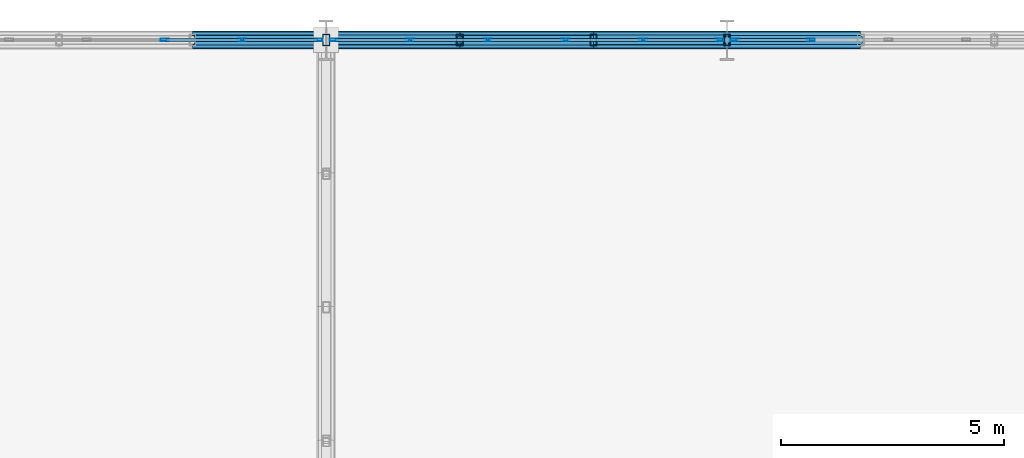
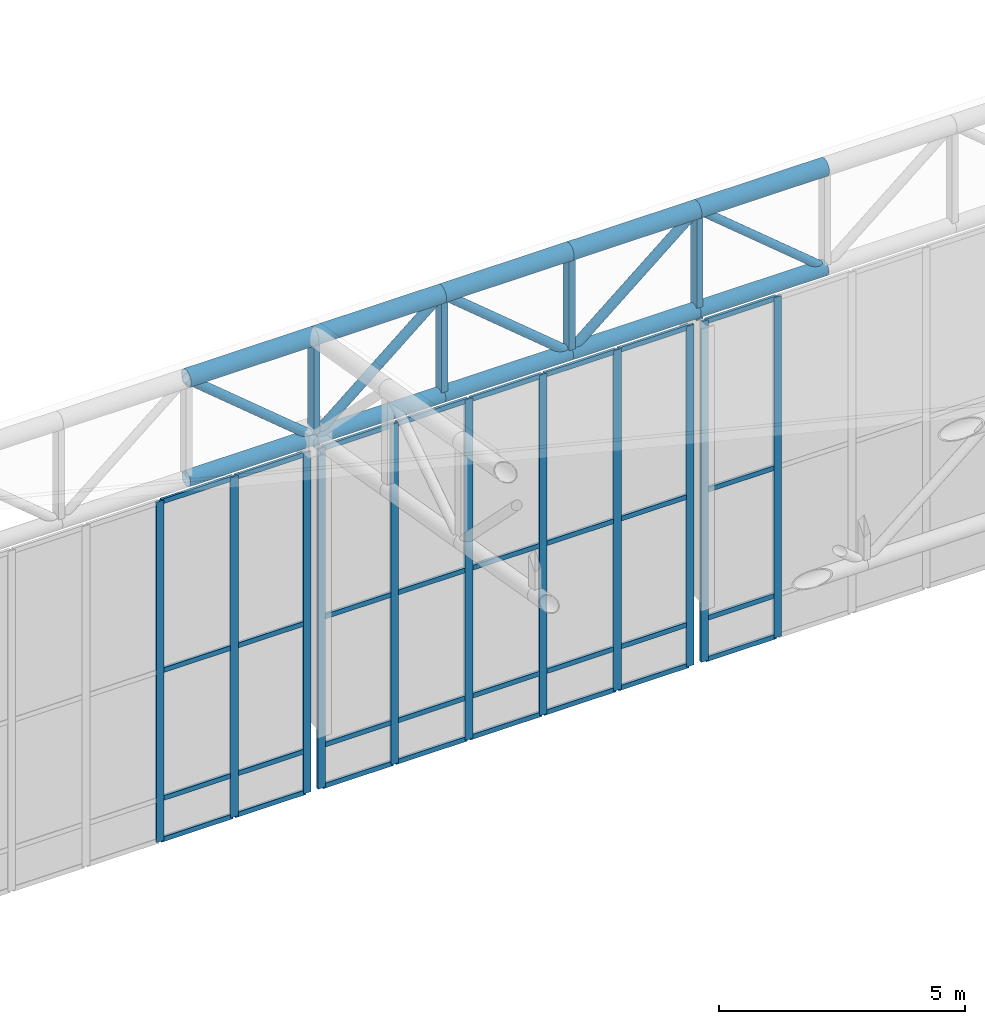
# One storey, part 109 of 239: 62 members, 3 elements without a shape of their own.
"""IFC4 building model written with IfcOpenShell, lengths in metres."""

import ifcopenshell
import ifcopenshell.guid

model = None  # the IFC model being written
_history = None  # IfcOwnerHistory: only IFC2X3 demands one
_inside = {}  # id of a spatial element -> (the spatial element, [elements in it])
_under = {}  # id of a project, library or spatial element -> (it, [spatial elements below it])
_declared = {}  # id of a project -> (the project, [libraries it declares])
_typed = {}  # id of a type object -> (the type object, [elements of that type])
_made_of = {}  # id of a material, layer set ... -> (it, [elements and type objects made of it])


def new_model(schema):
    """Start an empty IFC model of exactly this schema.

    Asked for "IFC4X3", IfcOpenShell would pick the latest addendum, in which some entities
    have other attributes; the version numbers below select the first issue.
    IFC2X3 requires an IfcOwnerHistory on every rooted entity: one is made here for all.
    """
    global model, _history
    if schema == "IFC4X3":
        model = ifcopenshell.file(schema_version=(4, 3, 0, 0))
    else:
        model = ifcopenshell.file(schema=schema)
    _inside.clear()
    _under.clear()
    _declared.clear()
    _typed.clear()
    _made_of.clear()
    _history = None
    if model.schema == "IFC2X3":
        org = make("IfcOrganization", Name="unknown")
        user = make(
            "IfcPersonAndOrganization",
            ThePerson=make("IfcPerson", FamilyName="unknown"),
            TheOrganization=org,
        )
        app = make(
            "IfcApplication",
            ApplicationDeveloper=org,
            Version="unknown",
            ApplicationFullName="unknown",
            ApplicationIdentifier="unknown",
        )
        _history = make(
            "IfcOwnerHistory",
            OwningUser=user,
            OwningApplication=app,
            ChangeAction="ADDED",
            CreationDate=0,
        )
    return model


def make(cls, **values):
    """One entity of the class cls with the attributes given. An attribute that is None is left unset."""
    return model.create_entity(
        cls, **{name: value for name, value in values.items() if value is not None}
    )


def rooted(cls, **values):
    """An entity with a GlobalId (a new one), such as an element, a storey or a relation."""
    return make(cls, GlobalId=ifcopenshell.guid.new(), OwnerHistory=_history, **values)


def si_unit(unit_type, name, prefix=None):
    """IfcSIUnit, for example si_unit("LENGTHUNIT", "METRE", prefix="MILLI")."""
    return make("IfcSIUnit", UnitType=unit_type, Prefix=prefix, Name=name)


def assignment(units):
    """IfcUnitAssignment: the units of a project."""
    return None if units is None else make("IfcUnitAssignment", Units=units)


def point(xyz):
    """IfcCartesianPoint."""
    return None if xyz is None else make("IfcCartesianPoint", Coordinates=xyz)


def direction(xyz):
    """IfcDirection."""
    return None if xyz is None else make("IfcDirection", DirectionRatios=xyz)


def frame(location, z_axis=None, x_axis=None):
    """IfcAxis2Placement3D, a coordinate frame: its origin and axes. An axis left out is left unset."""
    return make(
        "IfcAxis2Placement3D",
        Location=point(location),
        Axis=direction(z_axis),
        RefDirection=direction(x_axis),
    )


def frame_2d(location, x_axis=None):
    """IfcAxis2Placement2D, a coordinate frame in the plane: its origin and x axis."""
    return make(
        "IfcAxis2Placement2D", Location=point(location), RefDirection=direction(x_axis)
    )


def origin():
    """The frame at (0, 0, 0) with its axes left unset."""
    return frame((0.0, 0.0, 0.0))


def origin_2d():
    """The frame at (0, 0) in the plane with its x axis left unset."""
    return frame_2d((0.0, 0.0))


def place(relative_to, where):
    """IfcLocalPlacement: puts the frame where relative to a parent placement (None: the world)."""
    return make(
        "IfcLocalPlacement", PlacementRelTo=relative_to, RelativePlacement=where
    )


def context(
    kind, dimensions, precision=None, world=None, true_north=None, identifier=None
):
    """IfcGeometricRepresentationContext, for example the 3D "Model" context."""
    return make(
        "IfcGeometricRepresentationContext",
        ContextIdentifier=identifier,
        ContextType=kind,
        CoordinateSpaceDimension=dimensions,
        Precision=precision,
        WorldCoordinateSystem=world,
        TrueNorth=true_north,
    )


def subcontext(parent, identifier, kind, view, scale=None):
    """IfcGeometricRepresentationSubContext, for example "Body" below "Model"."""
    return make(
        "IfcGeometricRepresentationSubContext",
        ContextIdentifier=identifier,
        ContextType=kind,
        ParentContext=parent,
        TargetScale=scale,
        TargetView=view,
    )


def project(units=None, contexts=None):
    """IfcProject with its units and contexts."""
    return rooted(
        "IfcProject",
        Name="project",
        RepresentationContexts=contexts,
        UnitsInContext=assignment(units),
    )


def spatial(cls, under=None, at=None, **own):
    """A site, building, storey or space (cls), placed at a placement, below another one or the project."""
    s = rooted(cls, ObjectPlacement=at, **own)
    if under is not None:
        _under.setdefault(under.id(), (under, []))[1].append(s)
    return s


def profile(cls, at=None, kind="AREA", **sizes):
    """A parametric profile (cls). Its sizes go by their IFC names, for example OverallWidth=200.0."""
    return make(cls, ProfileType=kind, Position=at, **sizes)


def hollow_rectangle(**sizes):
    """IfcRectangleHollowProfileDef."""
    return profile("IfcRectangleHollowProfileDef", **sizes)


def hollow_circle(**sizes):
    """IfcCircleHollowProfileDef."""
    return profile("IfcCircleHollowProfileDef", **sizes)


def extrude(swept, where, along, depth):
    """IfcExtrudedAreaSolid: the profile swept, set in the frame where, extruded along a direction by depth."""
    return make(
        "IfcExtrudedAreaSolid",
        SweptArea=swept,
        Position=where,
        ExtrudedDirection=direction(along),
        Depth=depth,
    )


def shape(context_of_items, identifier, shape_type, items):
    """IfcShapeRepresentation: the items that make up one representation, for example the "Body"."""
    return make(
        "IfcShapeRepresentation",
        ContextOfItems=context_of_items,
        RepresentationIdentifier=identifier,
        RepresentationType=shape_type,
        Items=items,
    )


def material(Name=None, Category=None):
    """IfcMaterial."""
    return make("IfcMaterial", Name=Name, Category=Category)


def material_profile(
    of_material, cross_section, Name=None, Category=None, Priority=None
):
    """IfcMaterialProfile: a cross section and its material."""
    return make(
        "IfcMaterialProfile",
        Name=Name,
        Material=of_material,
        Profile=cross_section,
        Priority=Priority,
        Category=Category,
    )


def profile_set(profiles, Name=None, composite=None):
    """IfcMaterialProfileSet."""
    return make(
        "IfcMaterialProfileSet",
        Name=Name,
        MaterialProfiles=profiles,
        CompositeProfile=composite,
    )


def made_of(thing, what):
    """Note that an element or type object is made of a material, layer set ...; save() writes the relation."""
    if what is not None:
        _made_of.setdefault(what.id(), (what, []))[1].append(thing)
    return thing


def type_object(cls, material=None, **own):
    """A type object (cls), such as IfcWallType, which elements share."""
    return made_of(rooted(cls, **own), material)


def element(
    cls,
    number,
    at=None,
    inside=None,
    cuts=None,
    type_object=None,
    material=None,
    context=None,
    identifier="Body",
    shape_type=None,
    held_by="IfcProductDefinitionShape",
    body=None,
    shapes=None,
    **own,
):
    """One element of the class cls, such as IfcWall. Its Tag is "e" and its number.

    at: its placement. inside: the storey or other place that contains it. cuts: it is an
    opening in that element (IfcRelVoidsElement). A single representation is given by context,
    identifier, shape_type and body (its items); several are given by shapes. held_by: the class
    of the entity that holds the representations. save() writes the other relations.
    """
    e = rooted(cls, Tag="e%d" % number, ObjectPlacement=at, **own)
    if body is not None:
        shapes = [shape(context, identifier, shape_type, body)]
    if shapes is not None:
        e.Representation = make(held_by, Representations=shapes)
    if inside is not None:
        _inside.setdefault(inside.id(), (inside, []))[1].append(e)
    if cuts is not None:
        rooted(
            "IfcRelVoidsElement", RelatingBuildingElement=cuts, RelatedOpeningElement=e
        )
    if type_object is not None:
        _typed.setdefault(type_object.id(), (type_object, []))[1].append(e)
    return made_of(e, material)


def aggregate(whole, parts):
    """IfcRelAggregates: a whole, such as a stair, and the parts it consists of."""
    return rooted("IfcRelAggregates", RelatingObject=whole, RelatedObjects=parts)


def save(model, path):
    """Write the relations noted so far, then the file.

    IfcRelAggregates (storeys below a building ...), IfcRelContainedInSpatialStructure (elements
    in a storey), IfcRelDefinesByType, IfcRelAssociatesMaterial and IfcRelDeclares: one each for
    every whole, place, type object, material and project.
    """
    for whole, parts in _under.values():
        aggregate(whole, parts)
    for where, things in _inside.values():
        rooted(
            "IfcRelContainedInSpatialStructure",
            RelatedElements=things,
            RelatingStructure=where,
        )
    for kind, things in _typed.values():
        rooted("IfcRelDefinesByType", RelatedObjects=things, RelatingType=kind)
    for what, things in _made_of.values():
        rooted("IfcRelAssociatesMaterial", RelatedObjects=things, RelatingMaterial=what)
    for by, libraries in _declared.values():
        rooted("IfcRelDeclares", RelatingContext=by, RelatedDefinitions=libraries)
    model.write(path)


model = new_model("IFC4")

# Units and contexts
model_context = context("Model", 3, precision=1e-05, world=origin(), true_north=direction((0.0, 1.0)))
body_context = subcontext(model_context, "Body", "Model", "MODEL_VIEW")
ifc_project = project(units=[si_unit("LENGTHUNIT", "METRE"), si_unit("AREAUNIT", "SQUARE_METRE"), si_unit("VOLUMEUNIT", "CUBIC_METRE"), si_unit("PLANEANGLEUNIT", "RADIAN"), si_unit("MASSUNIT", "GRAM", prefix="KILO")], contexts=[model_context])

# Site, building, storey
site_placement = place(None, origin())
site = spatial("IfcSite", under=ifc_project, at=site_placement, CompositionType="ELEMENT")
building_placement = place(site_placement, origin())
building = spatial("IfcBuilding", under=site, at=building_placement, Name="Kaldris Quays Convention Centre", CompositionType="ELEMENT")
storey_placement = place(building_placement, frame((0.0, 0.0, 11.39990234375)))
storey = spatial("IfcBuildingStorey", under=building, at=storey_placement, Name="L02", CompositionType="ELEMENT", Elevation=11.39990234375)

# Curtain wall, members
ifc_material_1 = material(Name="Anodized aluminium AW-6060 and triple glazing", Category="aluminium")
curtain_wall_type = type_object("IfcCurtainWallType", Name="UNITISED CURTAIN WALL CW03", PredefinedType="NOTDEFINED", material=ifc_material_1)
curtain_wall_1_placement = place(storey_placement, origin())
curtain_wall_1 = element("IfcCurtainWall", 1, at=curtain_wall_1_placement, inside=storey, type_object=curtain_wall_type, Name="L02 Unitised Curtain Wall CW03 234", PredefinedType="NOTDEFINED")
ifc_material_2 = material(Name="Anodized aluminium AW-6060", Category="aluminium")
ifc_material_profile_1 = material_profile(ifc_material_2, hollow_rectangle(XDim=0.06005859375, YDim=0.179931640625, WallThickness=0.0048828125, at=origin_2d()), Name="RHS 180x60x5")
ifc_profile_set_1 = profile_set([ifc_material_profile_1], Name="Anodized aluminium AW-6060")
member_type_1 = type_object("IfcMemberType", Name="CURTAIN MULLION CWM2", PredefinedType="MULLION", material=ifc_profile_set_1)
member_1_placement = place(storey_placement, frame((52.3720703125, 140.0, -1.60498046875), z_axis=(0.0, 0.0, 1.0), x_axis=(0.0, 1.0, 0.0)))
member_1 = element("IfcMember", 2, at=member_1_placement, type_object=member_type_1, Name="CW03 mullion 4", PredefinedType="MULLION", context=body_context, shape_type="SweptSolid", body=[
    extrude(hollow_rectangle(XDim=0.06005859375, YDim=0.179931640625, WallThickness=0.0048828125, at=origin_2d()), origin(), (0.0, 0.0, 1.0), 8.455078125),
])
member_2_placement = place(storey_placement, frame((54.115966796875, 140.0, -1.60498046875), z_axis=(0.0, 0.0, 1.0), x_axis=(0.0, 1.0, 0.0)))
member_2 = element("IfcMember", 3, at=member_2_placement, type_object=member_type_1, Name="CW03 mullion 5", PredefinedType="MULLION", context=body_context, shape_type="SweptSolid", body=[
    extrude(hollow_rectangle(XDim=0.06005859375, YDim=0.179931640625, WallThickness=0.0048828125, at=origin_2d()), origin(), (0.0, 0.0, 1.0), 8.455078125),
])
member_3_placement = place(storey_placement, frame((55.830078125, 140.0, -1.60498046875), z_axis=(0.0, 0.0, 1.0), x_axis=(0.0, 1.0, 0.0)))
member_3 = element("IfcMember", 4, at=member_3_placement, type_object=member_type_1, Name="CW03 mullion 6", PredefinedType="MULLION", context=body_context, shape_type="SweptSolid", body=[
    extrude(hollow_rectangle(XDim=0.06005859375, YDim=0.179931640625, WallThickness=0.0048828125, at=origin_2d()), origin(), (0.0, 0.0, 1.0), 8.455078125),
])

curtain_wall_2_placement = place(storey_placement, origin())
curtain_wall_2 = element("IfcCurtainWall", 5, at=curtain_wall_2_placement, inside=storey, type_object=curtain_wall_type, Name="L02 Unitised Curtain Wall CW03 236", PredefinedType="NOTDEFINED")
member_4_placement = place(storey_placement, frame((56.169921875, 140.0, -1.60498046875), z_axis=(0.0, 0.0, 1.0), x_axis=(0.0, 1.0, 0.0)))
member_4 = element("IfcMember", 6, at=member_4_placement, type_object=member_type_1, Name="CW03 mullion 1", PredefinedType="MULLION", context=body_context, shape_type="SweptSolid", body=[
    extrude(hollow_rectangle(XDim=0.06005859375, YDim=0.179931640625, WallThickness=0.0048828125, at=origin_2d()), origin(), (0.0, 0.0, 1.0), 8.455078125),
])
member_5_placement = place(storey_placement, frame((57.884033203125, 140.0, -1.60498046875), z_axis=(0.0, 0.0, 1.0), x_axis=(0.0, 1.0, 0.0)))
member_5 = element("IfcMember", 7, at=member_5_placement, type_object=member_type_1, Name="CW03 mullion 2", PredefinedType="MULLION", context=body_context, shape_type="SweptSolid", body=[
    extrude(hollow_rectangle(XDim=0.06005859375, YDim=0.179931640625, WallThickness=0.0048828125, at=origin_2d()), origin(), (0.0, 0.0, 1.0), 8.455078125),
])
member_6_placement = place(storey_placement, frame((59.6279296875, 140.0, -1.60498046875), z_axis=(0.0, 0.0, 1.0), x_axis=(0.0, 1.0, 0.0)))
member_6 = element("IfcMember", 8, at=member_6_placement, type_object=member_type_1, Name="CW03 mullion 3", PredefinedType="MULLION", context=body_context, shape_type="SweptSolid", body=[
    extrude(hollow_rectangle(XDim=0.06005859375, YDim=0.179931640625, WallThickness=0.0048828125, at=origin_2d()), origin(), (0.0, 0.0, 1.0), 8.455078125),
])
member_7_placement = place(storey_placement, frame((61.3720703125, 140.0, -1.60498046875), z_axis=(0.0, 0.0, 1.0), x_axis=(0.0, 1.0, 0.0)))
member_7 = element("IfcMember", 9, at=member_7_placement, type_object=member_type_1, Name="CW03 mullion 4", PredefinedType="MULLION", context=body_context, shape_type="SweptSolid", body=[
    extrude(hollow_rectangle(XDim=0.06005859375, YDim=0.179931640625, WallThickness=0.0048828125, at=origin_2d()), origin(), (0.0, 0.0, 1.0), 8.455078125),
])
member_8_placement = place(storey_placement, frame((63.115966796875, 140.0, -1.60498046875), z_axis=(0.0, 0.0, 1.0), x_axis=(0.0, 1.0, 0.0)))
member_8 = element("IfcMember", 10, at=member_8_placement, type_object=member_type_1, Name="CW03 mullion 5", PredefinedType="MULLION", context=body_context, shape_type="SweptSolid", body=[
    extrude(hollow_rectangle(XDim=0.06005859375, YDim=0.179931640625, WallThickness=0.0048828125, at=origin_2d()), origin(), (0.0, 0.0, 1.0), 8.455078125),
])
member_9_placement = place(storey_placement, frame((64.830078125, 140.0, -1.60498046875), z_axis=(0.0, 0.0, 1.0), x_axis=(0.0, 1.0, 0.0)))
member_9 = element("IfcMember", 11, at=member_9_placement, type_object=member_type_1, Name="CW03 mullion 6", PredefinedType="MULLION", context=body_context, shape_type="SweptSolid", body=[
    extrude(hollow_rectangle(XDim=0.06005859375, YDim=0.179931640625, WallThickness=0.0048828125, at=origin_2d()), origin(), (0.0, 0.0, 1.0), 8.455078125),
])

curtain_wall_3_placement = place(storey_placement, origin())
curtain_wall_3 = element("IfcCurtainWall", 12, at=curtain_wall_3_placement, inside=storey, type_object=curtain_wall_type, Name="L02 Unitised Curtain Wall CW03 238", PredefinedType="NOTDEFINED")
member_10_placement = place(storey_placement, frame((65.169921875, 140.0, -1.60498046875), z_axis=(0.0, 0.0, 1.0), x_axis=(0.0, 1.0, 0.0)))
member_10 = element("IfcMember", 13, at=member_10_placement, type_object=member_type_1, Name="CW03 mullion 1", PredefinedType="MULLION", context=body_context, shape_type="SweptSolid", body=[
    extrude(hollow_rectangle(XDim=0.06005859375, YDim=0.179931640625, WallThickness=0.0048828125, at=origin_2d()), origin(), (0.0, 0.0, 1.0), 8.455078125),
])
member_11_placement = place(storey_placement, frame((66.884033203125, 140.0, -1.60498046875), z_axis=(0.0, 0.0, 1.0), x_axis=(0.0, 1.0, 0.0)))
member_11 = element("IfcMember", 14, at=member_11_placement, type_object=member_type_1, Name="CW03 mullion 2", PredefinedType="MULLION", context=body_context, shape_type="SweptSolid", body=[
    extrude(hollow_rectangle(XDim=0.06005859375, YDim=0.179931640625, WallThickness=0.0048828125, at=origin_2d()), origin(), (0.0, 0.0, 1.0), 8.455078125),
])

# Member
ifc_material_profile_2 = material_profile(ifc_material_2, hollow_rectangle(XDim=0.06005859375, YDim=0.1201171875, WallThickness=0.00390625, at=origin_2d()), Name="RHS 120x60x4")
ifc_profile_set_2 = profile_set([ifc_material_profile_2], Name="Anodized aluminium AW-6060")
member_type_2 = type_object("IfcMemberType", Name="CURTAIN TRANSOM CWT1", PredefinedType="USERDEFINED", material=ifc_profile_set_2)
member_12_placement = place(storey_placement, frame((52.402099609375, 140.0, -1.574951171875), z_axis=(1.0, 0.0, 0.0), x_axis=(0.0, 1.0, 0.0)))
member_12 = element("IfcMember", 15, at=member_12_placement, type_object=member_type_2, Name="CW03 transom 4.1", ObjectType="TRANSOM", PredefinedType="USERDEFINED", context=body_context, shape_type="SweptSolid", body=[
    extrude(hollow_rectangle(XDim=0.06005859375, YDim=0.1201171875, WallThickness=0.00390625, at=origin_2d()), origin(), (0.0, 0.0, 1.0), 1.683837890625),
])

member_13_placement = place(storey_placement, frame((52.402099609375, 140.0, -0.554931640625), z_axis=(1.0, 0.0, 0.0), x_axis=(0.0, 1.0, 0.0)))
member_13 = element("IfcMember", 16, at=member_13_placement, type_object=member_type_2, Name="CW03 transom 4.2", ObjectType="TRANSOM", PredefinedType="USERDEFINED", context=body_context, shape_type="SweptSolid", body=[
    extrude(hollow_rectangle(XDim=0.06005859375, YDim=0.1201171875, WallThickness=0.00390625, at=origin_2d()), origin(), (0.0, 0.0, 1.0), 1.683837890625),
])

member_14_placement = place(storey_placement, frame((52.402099609375, 140.0, 2.623046875), z_axis=(1.0, 0.0, 0.0), x_axis=(0.0, 1.0, 0.0)))
member_14 = element("IfcMember", 17, at=member_14_placement, type_object=member_type_2, Name="CW03 transom 4.3", ObjectType="TRANSOM", PredefinedType="USERDEFINED", context=body_context, shape_type="SweptSolid", body=[
    extrude(hollow_rectangle(XDim=0.06005859375, YDim=0.1201171875, WallThickness=0.00390625, at=origin_2d()), origin(), (0.0, 0.0, 1.0), 1.683837890625),
])

member_15_placement = place(storey_placement, frame((52.402099609375, 140.0, 6.820068359375), z_axis=(1.0, 0.0, 0.0), x_axis=(0.0, 1.0, 0.0)))
member_15 = element("IfcMember", 18, at=member_15_placement, type_object=member_type_2, Name="CW03 transom 4.4", ObjectType="TRANSOM", PredefinedType="USERDEFINED", context=body_context, shape_type="SweptSolid", body=[
    extrude(hollow_rectangle(XDim=0.06005859375, YDim=0.1201171875, WallThickness=0.00390625, at=origin_2d()), origin(), (0.0, 0.0, 1.0), 1.683837890625),
])

member_16_placement = place(storey_placement, frame((54.14599609375, 140.0, -1.574951171875), z_axis=(1.0, 0.0, 0.0), x_axis=(0.0, 1.0, 0.0)))
member_16 = element("IfcMember", 19, at=member_16_placement, type_object=member_type_2, Name="CW03 transom 5.1", ObjectType="TRANSOM", PredefinedType="USERDEFINED", context=body_context, shape_type="SweptSolid", body=[
    extrude(hollow_rectangle(XDim=0.06005859375, YDim=0.1201171875, WallThickness=0.00390625, at=origin_2d()), origin(), (0.0, 0.0, 1.0), 1.654052734375),
])

member_17_placement = place(storey_placement, frame((54.14599609375, 140.0, -0.554931640625), z_axis=(1.0, 0.0, 0.0), x_axis=(0.0, 1.0, 0.0)))
member_17 = element("IfcMember", 20, at=member_17_placement, type_object=member_type_2, Name="CW03 transom 5.2", ObjectType="TRANSOM", PredefinedType="USERDEFINED", context=body_context, shape_type="SweptSolid", body=[
    extrude(hollow_rectangle(XDim=0.06005859375, YDim=0.1201171875, WallThickness=0.00390625, at=origin_2d()), origin(), (0.0, 0.0, 1.0), 1.654052734375),
])

member_18_placement = place(storey_placement, frame((54.14599609375, 140.0, 2.623046875), z_axis=(1.0, 0.0, 0.0), x_axis=(0.0, 1.0, 0.0)))
member_18 = element("IfcMember", 21, at=member_18_placement, type_object=member_type_2, Name="CW03 transom 5.3", ObjectType="TRANSOM", PredefinedType="USERDEFINED", context=body_context, shape_type="SweptSolid", body=[
    extrude(hollow_rectangle(XDim=0.06005859375, YDim=0.1201171875, WallThickness=0.00390625, at=origin_2d()), origin(), (0.0, 0.0, 1.0), 1.654052734375),
])

member_19_placement = place(storey_placement, frame((54.14599609375, 140.0, 6.820068359375), z_axis=(1.0, 0.0, 0.0), x_axis=(0.0, 1.0, 0.0)))
member_19 = element("IfcMember", 22, at=member_19_placement, type_object=member_type_2, Name="CW03 transom 5.4", ObjectType="TRANSOM", PredefinedType="USERDEFINED", context=body_context, shape_type="SweptSolid", body=[
    extrude(hollow_rectangle(XDim=0.06005859375, YDim=0.1201171875, WallThickness=0.00390625, at=origin_2d()), origin(), (0.0, 0.0, 1.0), 1.654052734375),
])

aggregate(curtain_wall_1, [member_1, member_2, member_3, member_12, member_13, member_14, member_15, member_16, member_17, member_18, member_19])

member_20_placement = place(storey_placement, frame((56.199951171875, 140.0, -1.574951171875), z_axis=(1.0, 0.0, 0.0), x_axis=(0.0, 1.0, 0.0)))
member_20 = element("IfcMember", 23, at=member_20_placement, type_object=member_type_2, Name="CW03 transom 1.1", ObjectType="TRANSOM", PredefinedType="USERDEFINED", context=body_context, shape_type="SweptSolid", body=[
    extrude(hollow_rectangle(XDim=0.06005859375, YDim=0.1201171875, WallThickness=0.00390625, at=origin_2d()), origin(), (0.0, 0.0, 1.0), 1.654052734375),
])

member_21_placement = place(storey_placement, frame((56.199951171875, 140.0, -0.554931640625), z_axis=(1.0, 0.0, 0.0), x_axis=(0.0, 1.0, 0.0)))
member_21 = element("IfcMember", 24, at=member_21_placement, type_object=member_type_2, Name="CW03 transom 1.2", ObjectType="TRANSOM", PredefinedType="USERDEFINED", context=body_context, shape_type="SweptSolid", body=[
    extrude(hollow_rectangle(XDim=0.06005859375, YDim=0.1201171875, WallThickness=0.00390625, at=origin_2d()), origin(), (0.0, 0.0, 1.0), 1.654052734375),
])

member_22_placement = place(storey_placement, frame((56.199951171875, 140.0, 2.623046875), z_axis=(1.0, 0.0, 0.0), x_axis=(0.0, 1.0, 0.0)))
member_22 = element("IfcMember", 25, at=member_22_placement, type_object=member_type_2, Name="CW03 transom 1.3", ObjectType="TRANSOM", PredefinedType="USERDEFINED", context=body_context, shape_type="SweptSolid", body=[
    extrude(hollow_rectangle(XDim=0.06005859375, YDim=0.1201171875, WallThickness=0.00390625, at=origin_2d()), origin(), (0.0, 0.0, 1.0), 1.654052734375),
])

member_23_placement = place(storey_placement, frame((56.199951171875, 140.0, 6.820068359375), z_axis=(1.0, 0.0, 0.0), x_axis=(0.0, 1.0, 0.0)))
member_23 = element("IfcMember", 26, at=member_23_placement, type_object=member_type_2, Name="CW03 transom 1.4", ObjectType="TRANSOM", PredefinedType="USERDEFINED", context=body_context, shape_type="SweptSolid", body=[
    extrude(hollow_rectangle(XDim=0.06005859375, YDim=0.1201171875, WallThickness=0.00390625, at=origin_2d()), origin(), (0.0, 0.0, 1.0), 1.654052734375),
])

member_24_placement = place(storey_placement, frame((57.9140625, 140.0, -1.574951171875), z_axis=(1.0, 0.0, 0.0), x_axis=(0.0, 1.0, 0.0)))
member_24 = element("IfcMember", 27, at=member_24_placement, type_object=member_type_2, Name="CW03 transom 2.1", ObjectType="TRANSOM", PredefinedType="USERDEFINED", context=body_context, shape_type="SweptSolid", body=[
    extrude(hollow_rectangle(XDim=0.06005859375, YDim=0.1201171875, WallThickness=0.00390625, at=origin_2d()), origin(), (0.0, 0.0, 1.0), 1.683837890625),
])

member_25_placement = place(storey_placement, frame((57.9140625, 140.0, -0.554931640625), z_axis=(1.0, 0.0, 0.0), x_axis=(0.0, 1.0, 0.0)))
member_25 = element("IfcMember", 28, at=member_25_placement, type_object=member_type_2, Name="CW03 transom 2.2", ObjectType="TRANSOM", PredefinedType="USERDEFINED", context=body_context, shape_type="SweptSolid", body=[
    extrude(hollow_rectangle(XDim=0.06005859375, YDim=0.1201171875, WallThickness=0.00390625, at=origin_2d()), origin(), (0.0, 0.0, 1.0), 1.683837890625),
])

member_26_placement = place(storey_placement, frame((57.9140625, 140.0, 2.623046875), z_axis=(1.0, 0.0, 0.0), x_axis=(0.0, 1.0, 0.0)))
member_26 = element("IfcMember", 29, at=member_26_placement, type_object=member_type_2, Name="CW03 transom 2.3", ObjectType="TRANSOM", PredefinedType="USERDEFINED", context=body_context, shape_type="SweptSolid", body=[
    extrude(hollow_rectangle(XDim=0.06005859375, YDim=0.1201171875, WallThickness=0.00390625, at=origin_2d()), origin(), (0.0, 0.0, 1.0), 1.683837890625),
])

member_27_placement = place(storey_placement, frame((57.9140625, 140.0, 6.820068359375), z_axis=(1.0, 0.0, 0.0), x_axis=(0.0, 1.0, 0.0)))
member_27 = element("IfcMember", 30, at=member_27_placement, type_object=member_type_2, Name="CW03 transom 2.4", ObjectType="TRANSOM", PredefinedType="USERDEFINED", context=body_context, shape_type="SweptSolid", body=[
    extrude(hollow_rectangle(XDim=0.06005859375, YDim=0.1201171875, WallThickness=0.00390625, at=origin_2d()), origin(), (0.0, 0.0, 1.0), 1.683837890625),
])

member_28_placement = place(storey_placement, frame((59.657958984375, 140.0, -1.574951171875), z_axis=(1.0, 0.0, 0.0), x_axis=(0.0, 1.0, 0.0)))
member_28 = element("IfcMember", 31, at=member_28_placement, type_object=member_type_2, Name="CW03 transom 3.1", ObjectType="TRANSOM", PredefinedType="USERDEFINED", context=body_context, shape_type="SweptSolid", body=[
    extrude(hollow_rectangle(XDim=0.06005859375, YDim=0.1201171875, WallThickness=0.00390625, at=origin_2d()), origin(), (0.0, 0.0, 1.0), 1.68408203125),
])

member_29_placement = place(storey_placement, frame((59.657958984375, 140.0, -0.554931640625), z_axis=(1.0, 0.0, 0.0), x_axis=(0.0, 1.0, 0.0)))
member_29 = element("IfcMember", 32, at=member_29_placement, type_object=member_type_2, Name="CW03 transom 3.2", ObjectType="TRANSOM", PredefinedType="USERDEFINED", context=body_context, shape_type="SweptSolid", body=[
    extrude(hollow_rectangle(XDim=0.06005859375, YDim=0.1201171875, WallThickness=0.00390625, at=origin_2d()), origin(), (0.0, 0.0, 1.0), 1.68408203125),
])

member_30_placement = place(storey_placement, frame((59.657958984375, 140.0, 2.623046875), z_axis=(1.0, 0.0, 0.0), x_axis=(0.0, 1.0, 0.0)))
member_30 = element("IfcMember", 33, at=member_30_placement, type_object=member_type_2, Name="CW03 transom 3.3", ObjectType="TRANSOM", PredefinedType="USERDEFINED", context=body_context, shape_type="SweptSolid", body=[
    extrude(hollow_rectangle(XDim=0.06005859375, YDim=0.1201171875, WallThickness=0.00390625, at=origin_2d()), origin(), (0.0, 0.0, 1.0), 1.68408203125),
])

member_31_placement = place(storey_placement, frame((59.657958984375, 140.0, 6.820068359375), z_axis=(1.0, 0.0, 0.0), x_axis=(0.0, 1.0, 0.0)))
member_31 = element("IfcMember", 34, at=member_31_placement, type_object=member_type_2, Name="CW03 transom 3.4", ObjectType="TRANSOM", PredefinedType="USERDEFINED", context=body_context, shape_type="SweptSolid", body=[
    extrude(hollow_rectangle(XDim=0.06005859375, YDim=0.1201171875, WallThickness=0.00390625, at=origin_2d()), origin(), (0.0, 0.0, 1.0), 1.68408203125),
])

member_32_placement = place(storey_placement, frame((61.402099609375, 140.0, -1.574951171875), z_axis=(1.0, 0.0, 0.0), x_axis=(0.0, 1.0, 0.0)))
member_32 = element("IfcMember", 35, at=member_32_placement, type_object=member_type_2, Name="CW03 transom 4.1", ObjectType="TRANSOM", PredefinedType="USERDEFINED", context=body_context, shape_type="SweptSolid", body=[
    extrude(hollow_rectangle(XDim=0.06005859375, YDim=0.1201171875, WallThickness=0.00390625, at=origin_2d()), origin(), (0.0, 0.0, 1.0), 1.683837890625),
])

member_33_placement = place(storey_placement, frame((61.402099609375, 140.0, -0.554931640625), z_axis=(1.0, 0.0, 0.0), x_axis=(0.0, 1.0, 0.0)))
member_33 = element("IfcMember", 36, at=member_33_placement, type_object=member_type_2, Name="CW03 transom 4.2", ObjectType="TRANSOM", PredefinedType="USERDEFINED", context=body_context, shape_type="SweptSolid", body=[
    extrude(hollow_rectangle(XDim=0.06005859375, YDim=0.1201171875, WallThickness=0.00390625, at=origin_2d()), origin(), (0.0, 0.0, 1.0), 1.683837890625),
])

member_34_placement = place(storey_placement, frame((61.402099609375, 140.0, 2.623046875), z_axis=(1.0, 0.0, 0.0), x_axis=(0.0, 1.0, 0.0)))
member_34 = element("IfcMember", 37, at=member_34_placement, type_object=member_type_2, Name="CW03 transom 4.3", ObjectType="TRANSOM", PredefinedType="USERDEFINED", context=body_context, shape_type="SweptSolid", body=[
    extrude(hollow_rectangle(XDim=0.06005859375, YDim=0.1201171875, WallThickness=0.00390625, at=origin_2d()), origin(), (0.0, 0.0, 1.0), 1.683837890625),
])

member_35_placement = place(storey_placement, frame((61.402099609375, 140.0, 6.820068359375), z_axis=(1.0, 0.0, 0.0), x_axis=(0.0, 1.0, 0.0)))
member_35 = element("IfcMember", 38, at=member_35_placement, type_object=member_type_2, Name="CW03 transom 4.4", ObjectType="TRANSOM", PredefinedType="USERDEFINED", context=body_context, shape_type="SweptSolid", body=[
    extrude(hollow_rectangle(XDim=0.06005859375, YDim=0.1201171875, WallThickness=0.00390625, at=origin_2d()), origin(), (0.0, 0.0, 1.0), 1.683837890625),
])

member_36_placement = place(storey_placement, frame((63.14599609375, 140.0, -1.574951171875), z_axis=(1.0, 0.0, 0.0), x_axis=(0.0, 1.0, 0.0)))
member_36 = element("IfcMember", 39, at=member_36_placement, type_object=member_type_2, Name="CW03 transom 5.1", ObjectType="TRANSOM", PredefinedType="USERDEFINED", context=body_context, shape_type="SweptSolid", body=[
    extrude(hollow_rectangle(XDim=0.06005859375, YDim=0.1201171875, WallThickness=0.00390625, at=origin_2d()), origin(), (0.0, 0.0, 1.0), 1.654052734375),
])

member_37_placement = place(storey_placement, frame((63.14599609375, 140.0, -0.554931640625), z_axis=(1.0, 0.0, 0.0), x_axis=(0.0, 1.0, 0.0)))
member_37 = element("IfcMember", 40, at=member_37_placement, type_object=member_type_2, Name="CW03 transom 5.2", ObjectType="TRANSOM", PredefinedType="USERDEFINED", context=body_context, shape_type="SweptSolid", body=[
    extrude(hollow_rectangle(XDim=0.06005859375, YDim=0.1201171875, WallThickness=0.00390625, at=origin_2d()), origin(), (0.0, 0.0, 1.0), 1.654052734375),
])

member_38_placement = place(storey_placement, frame((63.14599609375, 140.0, 2.623046875), z_axis=(1.0, 0.0, 0.0), x_axis=(0.0, 1.0, 0.0)))
member_38 = element("IfcMember", 41, at=member_38_placement, type_object=member_type_2, Name="CW03 transom 5.3", ObjectType="TRANSOM", PredefinedType="USERDEFINED", context=body_context, shape_type="SweptSolid", body=[
    extrude(hollow_rectangle(XDim=0.06005859375, YDim=0.1201171875, WallThickness=0.00390625, at=origin_2d()), origin(), (0.0, 0.0, 1.0), 1.654052734375),
])

member_39_placement = place(storey_placement, frame((63.14599609375, 140.0, 6.820068359375), z_axis=(1.0, 0.0, 0.0), x_axis=(0.0, 1.0, 0.0)))
member_39 = element("IfcMember", 42, at=member_39_placement, type_object=member_type_2, Name="CW03 transom 5.4", ObjectType="TRANSOM", PredefinedType="USERDEFINED", context=body_context, shape_type="SweptSolid", body=[
    extrude(hollow_rectangle(XDim=0.06005859375, YDim=0.1201171875, WallThickness=0.00390625, at=origin_2d()), origin(), (0.0, 0.0, 1.0), 1.654052734375),
])

aggregate(curtain_wall_2, [member_4, member_5, member_6, member_7, member_8, member_9, member_20, member_21, member_22, member_23, member_24, member_25, member_26, member_27, member_28, member_29, member_30, member_31, member_32, member_33, member_34, member_35, member_36, member_37, member_38, member_39])

member_40_placement = place(storey_placement, frame((65.199951171875, 140.0, -1.574951171875), z_axis=(1.0, 0.0, 0.0), x_axis=(0.0, 1.0, 0.0)))
member_40 = element("IfcMember", 43, at=member_40_placement, type_object=member_type_2, Name="CW03 transom 1.1", ObjectType="TRANSOM", PredefinedType="USERDEFINED", context=body_context, shape_type="SweptSolid", body=[
    extrude(hollow_rectangle(XDim=0.06005859375, YDim=0.1201171875, WallThickness=0.00390625, at=origin_2d()), origin(), (0.0, 0.0, 1.0), 1.654052734375),
])

member_41_placement = place(storey_placement, frame((65.199951171875, 140.0, -0.554931640625), z_axis=(1.0, 0.0, 0.0), x_axis=(0.0, 1.0, 0.0)))
member_41 = element("IfcMember", 44, at=member_41_placement, type_object=member_type_2, Name="CW03 transom 1.2", ObjectType="TRANSOM", PredefinedType="USERDEFINED", context=body_context, shape_type="SweptSolid", body=[
    extrude(hollow_rectangle(XDim=0.06005859375, YDim=0.1201171875, WallThickness=0.00390625, at=origin_2d()), origin(), (0.0, 0.0, 1.0), 1.654052734375),
])

member_42_placement = place(storey_placement, frame((65.199951171875, 140.0, 2.623046875), z_axis=(1.0, 0.0, 0.0), x_axis=(0.0, 1.0, 0.0)))
member_42 = element("IfcMember", 45, at=member_42_placement, type_object=member_type_2, Name="CW03 transom 1.3", ObjectType="TRANSOM", PredefinedType="USERDEFINED", context=body_context, shape_type="SweptSolid", body=[
    extrude(hollow_rectangle(XDim=0.06005859375, YDim=0.1201171875, WallThickness=0.00390625, at=origin_2d()), origin(), (0.0, 0.0, 1.0), 1.654052734375),
])

member_43_placement = place(storey_placement, frame((65.199951171875, 140.0, 6.820068359375), z_axis=(1.0, 0.0, 0.0), x_axis=(0.0, 1.0, 0.0)))
member_43 = element("IfcMember", 46, at=member_43_placement, type_object=member_type_2, Name="CW03 transom 1.4", ObjectType="TRANSOM", PredefinedType="USERDEFINED", context=body_context, shape_type="SweptSolid", body=[
    extrude(hollow_rectangle(XDim=0.06005859375, YDim=0.1201171875, WallThickness=0.00390625, at=origin_2d()), origin(), (0.0, 0.0, 1.0), 1.654052734375),
])

aggregate(curtain_wall_3, [member_10, member_11, member_40, member_41, member_42, member_43])

# Members
ifc_material_3 = material(Name="Steel S355J2H", Category="steel")
ifc_material_profile_3 = material_profile(ifc_material_3, hollow_circle(Radius=0.203125, WallThickness=0.01611328125, at=origin_2d()), Name="CHS 406.4x16")
ifc_profile_set_3 = profile_set([ifc_material_profile_3], Name="Steel S355J2H")
member_type_3 = type_object("IfcMemberType", Name="STRUCTURAL MEMBER SC01", PredefinedType="CHORD", material=ifc_profile_set_3)
for number, where, z_axis, x_axis, name in (
    (47, (53.0, 140.0, 9.671875), (1.0, 0.0, 0.0), (0.0, 1.0, 0.0), "SF-V1 Top Chord X 306"),
    (48, (56.0, 140.0, 9.671875), (1.0, 0.0, 0.0), (0.0, 1.0, 0.0), "SF-V1 Top Chord X 307"),
    (49, (59.0, 140.0, 9.671875), (1.0, 0.0, 0.0), (0.0, 1.0, 0.0), "SF-V1 Top Chord X 308"),
    (50, (62.0, 140.0, 9.671875), (1.0, 0.0, 0.0), (0.0, 1.0, 0.0), "SF-V1 Top Chord X 309"),
    (51, (65.0, 140.0, 9.671875), (1.0, 0.0, 0.0), (0.0, 1.0, 0.0), "SF-V1 Top Chord X 310"),
):
    element("IfcMember", number, at=place(storey_placement, frame(where, z_axis=z_axis, x_axis=x_axis)), inside=storey, type_object=member_type_3, Name=name, PredefinedType="CHORD", context=body_context, shape_type="SweptSolid", body=[
        extrude(hollow_circle(Radius=0.203125, WallThickness=0.01611328125, at=origin_2d()), origin(), (0.0, 0.0, 1.0), 3.0),
    ])
ifc_material_profile_4 = material_profile(ifc_material_3, hollow_circle(Radius=0.177734375, WallThickness=0.01611328125, at=origin_2d()), Name="CHS 355.6x16")
ifc_profile_set_4 = profile_set([ifc_material_profile_4], Name="Steel S355J2H")
member_type_4 = type_object("IfcMemberType", Name="STRUCTURAL MEMBER SC02", PredefinedType="CHORD", material=ifc_profile_set_4)
for number, where, z_axis, x_axis, name in (
    (52, (53.0, 140.0, 7.171875), (1.0, 0.0, 0.0), (0.0, 1.0, 0.0), "SF-V1 Bottom Chord X 306"),
    (53, (56.0, 140.0, 7.171875), (1.0, 0.0, 0.0), (0.0, 1.0, 0.0), "SF-V1 Bottom Chord X 307"),
    (54, (59.0, 140.0, 7.171875), (1.0, 0.0, 0.0), (0.0, 1.0, 0.0), "SF-V1 Bottom Chord X 308"),
    (55, (62.0, 140.0, 7.171875), (1.0, 0.0, 0.0), (0.0, 1.0, 0.0), "SF-V1 Bottom Chord X 309"),
    (56, (65.0, 140.0, 7.171875), (1.0, 0.0, 0.0), (0.0, 1.0, 0.0), "SF-V1 Bottom Chord X 310"),
):
    element("IfcMember", number, at=place(storey_placement, frame(where, z_axis=z_axis, x_axis=x_axis)), inside=storey, type_object=member_type_4, Name=name, PredefinedType="CHORD", context=body_context, shape_type="SweptSolid", body=[
        extrude(hollow_circle(Radius=0.177734375, WallThickness=0.01611328125, at=origin_2d()), origin(), (0.0, 0.0, 1.0), 3.0),
    ])
ifc_material_profile_5 = material_profile(ifc_material_3, hollow_circle(Radius=0.109619140625, WallThickness=0.010009765625, at=origin_2d()), Name="CHS 219.1x10")
ifc_profile_set_5 = profile_set([ifc_material_profile_5], Name="Steel S355J2H")
member_type_5 = type_object("IfcMemberType", Name="STRUCTURAL MEMBER SWB1", PredefinedType="BRACE", material=ifc_profile_set_5)
for number, where, z_axis, x_axis, name in (
    (57, (56.0, 140.0, 7.171875), (-0.768221279597, 0.0, 0.640184399664), (0.0, -1.0, 0.0), "SF-V1 Web Diagonal X 306"),
    (58, (56.0, 140.0, 7.171875), (0.768221279597, 0.0, 0.640184399664), (0.0, 1.0, 0.0), "SF-V1 Web Diagonal X 307"),
    (59, (62.0, 140.0, 7.171875), (-0.768221279597, 0.0, 0.640184399664), (0.0, -1.0, 0.0), "SF-V1 Web Diagonal X 308"),
    (60, (62.0, 140.0, 7.171875), (0.768221279597, 0.0, 0.640184399664), (0.0, 1.0, 0.0), "SF-V1 Web Diagonal X 309"),
):
    element("IfcMember", number, at=place(storey_placement, frame(where, z_axis=z_axis, x_axis=x_axis)), inside=storey, type_object=member_type_5, Name=name, PredefinedType="BRACE", context=body_context, shape_type="SweptSolid", body=[
        extrude(hollow_circle(Radius=0.109619140625, WallThickness=0.010009765625, at=origin_2d()), origin(), (0.0, 0.0, 1.0), 3.905029296875),
    ])
ifc_material_profile_6 = material_profile(ifc_material_3, hollow_circle(Radius=0.096923828125, WallThickness=0.008056640625, at=origin_2d()), Name="CHS 193.7x8")
ifc_profile_set_6 = profile_set([ifc_material_profile_6], Name="Steel S355J2H")
member_type_6 = type_object("IfcMemberType", Name="STRUCTURAL MEMBER SWB3", PredefinedType="BRACE", material=ifc_profile_set_6)
member_44_placement = place(storey_placement, frame((68.0, 140.0, 7.171875), z_axis=(-0.768221279597, 0.0, 0.640184399664), x_axis=(0.0, -1.0, 0.0)))
element("IfcMember", 61, at=member_44_placement, inside=storey, type_object=member_type_6, Name="SF-V1 Web Diagonal X 310", PredefinedType="BRACE", context=body_context, shape_type="SweptSolid", body=[
    extrude(hollow_circle(Radius=0.096923828125, WallThickness=0.008056640625, at=origin_2d()), origin(), (0.0, 0.0, 1.0), 3.905029296875),
])
ifc_material_profile_7 = material_profile(ifc_material_3, hollow_rectangle(XDim=0.14990234375, YDim=0.25, WallThickness=0.010009765625, at=origin_2d()), Name="RHS 250x150x10")
ifc_profile_set_7 = profile_set([ifc_material_profile_7], Name="Steel S355J2H")
member_type_7 = type_object("IfcMemberType", Name="STRUCTURAL MEMBER TTV1", PredefinedType="POST", material=ifc_profile_set_7)
member_45_placement = place(storey_placement, frame((56.0, 140.0, 6.994140625), z_axis=(0.0, 0.0, 1.0), x_axis=(1.0, 0.0, 0.0)))
element("IfcMember", 62, at=member_45_placement, inside=storey, type_object=member_type_7, Name="SF-V1 Space-Frame Post 167", PredefinedType="POST", context=body_context, shape_type="SweptSolid", body=[
    extrude(hollow_rectangle(XDim=0.14990234375, YDim=0.25, WallThickness=0.010009765625, at=origin_2d()), origin(), (0.0, 0.0, 1.0), 2.677734375),
])
for number, where, z_axis, x_axis, name in (
    (63, (59.0, 140.0, 7.171875), (0.0, 0.0, 1.0), (1.0, 0.0, 0.0), "SF-V1 Space-Frame Post 175"),
    (64, (62.0, 140.0, 7.171875), (0.0, 0.0, 1.0), (1.0, 0.0, 0.0), "SF-V1 Space-Frame Post 183"),
):
    element("IfcMember", number, at=place(storey_placement, frame(where, z_axis=z_axis, x_axis=x_axis)), inside=storey, type_object=member_type_7, Name=name, PredefinedType="POST", context=body_context, shape_type="SweptSolid", body=[
        extrude(hollow_rectangle(XDim=0.14990234375, YDim=0.25, WallThickness=0.010009765625, at=origin_2d()), origin(), (0.0, 0.0, 1.0), 2.5),
    ])
member_46_placement = place(storey_placement, frame((65.0, 140.0, 6.994140625), z_axis=(0.0, 0.0, 1.0), x_axis=(1.0, 0.0, 0.0)))
element("IfcMember", 65, at=member_46_placement, inside=storey, type_object=member_type_7, Name="SF-V1 Space-Frame Post 191", PredefinedType="POST", context=body_context, shape_type="SweptSolid", body=[
    extrude(hollow_rectangle(XDim=0.14990234375, YDim=0.25, WallThickness=0.010009765625, at=origin_2d()), origin(), (0.0, 0.0, 1.0), 2.677734375),
])

save(model, "model.ifc")
